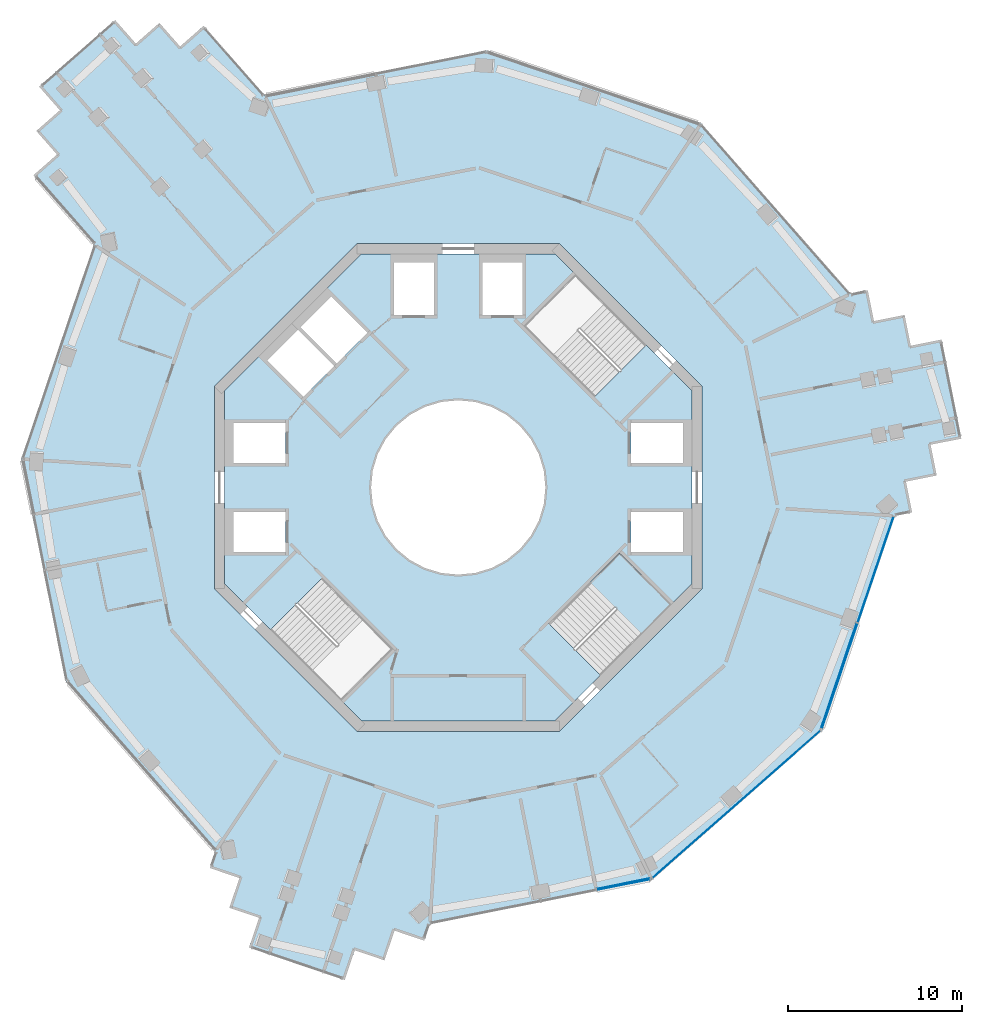
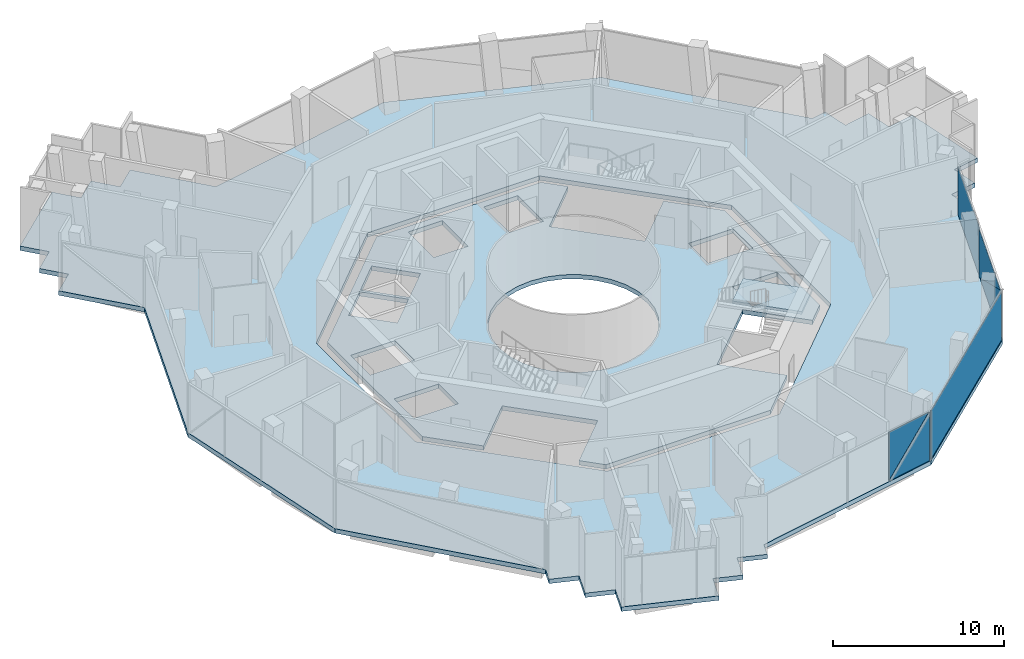
# One storey, part 9 of 17: 6 plates, 3 slabs, 4 elements without a shape of their own.
"""IFC4 building model written with IfcOpenShell, lengths in metres."""

from ifc_helpers import new_model, si_unit, direction, frame, origin, origin_2d, place, context, subcontext, project, spatial, polyline, rectangle, outline, extrude, material, layer, layer_set, type_object, element, aggregate, save


model = new_model("IFC4")

# Units and contexts
model_context = context("Model", 3, precision=1e-05, world=origin(), true_north=direction((0.0, 1.0)))
body_context = subcontext(model_context, "Body", "Model", "MODEL_VIEW")
ifc_project = project(units=[si_unit("LENGTHUNIT", "METRE"), si_unit("AREAUNIT", "SQUARE_METRE"), si_unit("VOLUMEUNIT", "CUBIC_METRE"), si_unit("PLANEANGLEUNIT", "RADIAN"), si_unit("MASSUNIT", "GRAM", prefix="KILO")], contexts=[model_context])

# Site, building, storey
site_placement = place(None, origin())
site = spatial("IfcSite", under=ifc_project, at=site_placement, CompositionType="ELEMENT")
building_placement = place(site_placement, origin())
building = spatial("IfcBuilding", under=site, at=building_placement, Name="Verdalira Terraces Hotel", CompositionType="ELEMENT")
storey_placement = place(building_placement, frame((0.0, 0.0, 201.0)))
storey = spatial("IfcBuildingStorey", under=building, at=storey_placement, Name="L49", CompositionType="ELEMENT", Elevation=201.0)

# Curtain wall, plates
ifc_material_1 = material(Name="Clear glass", Category="glass")
ifc_layer_1 = layer(ifc_material_1, 0.179931640625)
ifc_layer_set_1 = layer_set([ifc_layer_1], Name="CW4 curtain wall")
curtain_wall_type = type_object("IfcCurtainWallType", Name="CW4 curtain wall", PredefinedType="NOTDEFINED", material=ifc_layer_set_1)
curtain_wall_1_placement = place(storey_placement, origin())
curtain_wall_1 = element("IfcCurtainWall", 1, at=curtain_wall_1_placement, inside=storey, type_object=curtain_wall_type, Name="CW4 curtain wall L49 edge 25", PredefinedType="NOTDEFINED")
ifc_material_2 = material(Name="Clear glass", Category="glass")
ifc_layer_2 = layer(ifc_material_2, 0.035888671875)
ifc_layer_set_2 = layer_set([ifc_layer_2], Name="CW4 glass unit 36")
plate_type = type_object("IfcPlateType", Name="CW4 glass unit 36", PredefinedType="CURTAIN_PANEL", material=ifc_layer_set_2)
plate_1_placement = place(storey_placement, frame((9.475098, -22.766846, 1.735107), z_axis=(0.195603833, -0.980682997, 0.0), x_axis=(0.980682997, 0.195603833, 0.0)))
plate_1 = element("IfcPlate", 2, at=plate_1_placement, type_object=plate_type, Name="CW4 glass unit", PredefinedType="CURTAIN_PANEL", context=body_context, shape_type="SweptSolid", body=[
    extrude(outline(polyline([(-1.556152, -1.734863), (1.556152, -1.734863), (1.556152, 1.734863), (-1.556152, -1.734863)])), origin(), (0.0, 0.0, 1.0), 0.035889),
])
plate_2_placement = place(storey_placement, frame((9.467773, -22.730469, 1.735107), z_axis=(0.195603833, -0.980682997, 0.0), x_axis=(0.980682997, 0.195603833, 0.0)))
plate_2 = element("IfcPlate", 3, at=plate_2_placement, type_object=plate_type, Name="CW4 glass unit", PredefinedType="CURTAIN_PANEL", context=body_context, shape_type="SweptSolid", body=[
    extrude(outline(polyline([(-1.556152, -1.734863), (1.556152, 1.734863), (-1.556152, 1.734863), (-1.556152, -1.734863)])), origin(), (0.0, 0.0, 1.0), 0.035889),
])
aggregate(curtain_wall_1, [plate_1, plate_2])

# Curtain wall, plate
curtain_wall_2_placement = place(storey_placement, origin())
curtain_wall_2 = element("IfcCurtainWall", 4, at=curtain_wall_2_placement, inside=storey, type_object=curtain_wall_type, Name="CW4 curtain wall L49 edge 26", PredefinedType="NOTDEFINED")
plate_3_placement = place(storey_placement, frame((15.9646, -18.184814, 0.0), z_axis=(0.0, 0.0, 1.0), x_axis=(0.751494472, 0.659739387, 0.0)))
plate_3 = element("IfcPlate", 5, at=plate_3_placement, type_object=plate_type, Name="CW4 glass unit", PredefinedType="CURTAIN_PANEL", context=body_context, shape_type="SweptSolid", body=[
    extrude(rectangle(XDim=12.789551, YDim=0.035889, at=origin_2d()), origin(), (0.0, 0.0, 1.0), 3.469971),
])
aggregate(curtain_wall_2, [plate_3])

# Curtain wall, plates
curtain_wall_3_placement = place(storey_placement, origin())
curtain_wall_3 = element("IfcCurtainWall", 6, at=curtain_wall_3_placement, inside=storey, type_object=curtain_wall_type, Name="CW4 curtain wall L49 edge 27", PredefinedType="NOTDEFINED")
plate_4_placement = place(storey_placement, frame((21.869629, -10.804199, 1.735107), z_axis=(0.947098305, -0.32094361, 0.0), x_axis=(0.32094361, 0.947098305, 0.0)))
plate_4 = element("IfcPlate", 7, at=plate_4_placement, type_object=plate_type, Name="CW4 glass unit", PredefinedType="CURTAIN_PANEL", context=body_context, shape_type="SweptSolid", body=[
    extrude(outline(polyline([(-3.181152, -1.734863), (3.181152, -1.734863), (-3.181152, 1.734863), (-3.181152, -1.734863)])), origin(), (0.0, 0.0, 1.0), 0.035889),
])
plate_5_placement = place(storey_placement, frame((21.834473, -10.79248, 1.735107), z_axis=(0.947098305, -0.32094361, 0.0), x_axis=(0.32094361, 0.947098305, 0.0)))
plate_5 = element("IfcPlate", 8, at=plate_5_placement, type_object=plate_type, Name="CW4 glass unit", PredefinedType="CURTAIN_PANEL", context=body_context, shape_type="SweptSolid", body=[
    extrude(outline(polyline([(3.181152, -1.734863), (3.181152, 1.734863), (-3.181152, 1.734863), (3.181152, -1.734863)])), origin(), (0.0, 0.0, 1.0), 0.035889),
])
plate_6_placement = place(storey_placement, frame((23.953369, -4.711914, 0.0), z_axis=(0.0, 0.0, 1.0), x_axis=(0.32094361, 0.947098305, 0.0)))
plate_6 = element("IfcPlate", 9, at=plate_6_placement, type_object=plate_type, Name="CW4 glass unit", PredefinedType="CURTAIN_PANEL", context=body_context, shape_type="SweptSolid", body=[
    extrude(rectangle(XDim=6.385254, YDim=0.035889, at=origin_2d()), origin(), (0.0, 0.0, 1.0), 3.469971),
])
aggregate(curtain_wall_3, [plate_4, plate_5, plate_6])

# Slab
ifc_material_3 = material(Name="Concrete C40", Category="concrete")
ifc_layer_3 = layer(ifc_material_3, 0.31005859375)
ifc_layer_set_3 = layer_set([ifc_layer_3], Name="Core floor slab 310 mm")
slab_type_1 = type_object("IfcSlabType", Name="Core floor slab 310 mm", PredefinedType="FLOOR", material=ifc_layer_set_3)
slab_1_placement = place(storey_placement, frame((0.0, 0.0, -0.310059)))
element("IfcSlab", 10, at=slab_1_placement, inside=storey, type_object=slab_type_1, Name="L49 core floor", PredefinedType="FLOOR", context=body_context, shape_type="SweptSolid", body=[
    extrude(outline(polyline([(-6.703369, -12.24707), (-3.719482, -9.263184), (-7.799072, -5.18335), (-10.782959, -8.16748), (-13.399902, -5.550537), (-13.399902, 5.550537), (-5.550537, 13.399902), (5.550537, 13.399902), (6.703369, 12.24707), (3.719482, 9.263184), (7.799072, 5.18335), (10.782959, 8.16748), (13.399902, 5.550537), (13.399902, -5.550537), (12.24707, -6.703369), (9.263184, -3.719482), (5.18335, -7.799072), (8.16748, -10.782959), (5.550537, -13.399902), (-5.550537, -13.399902), (-6.703369, -12.24707)]), holes=[polyline([(9.899902, -1.399902), (9.899902, -3.699951), (12.899902, -3.699951), (12.899902, -1.399902), (9.899902, -1.399902)]), polyline([(9.899902, 3.699951), (9.899902, 1.399902), (12.899902, 1.399902), (12.899902, 3.699951), (9.899902, 3.699951)]), polyline([(3.699951, 12.899902), (1.399902, 12.899902), (1.399902, 9.899902), (3.699951, 9.899902), (3.699951, 12.899902)]), polyline([(-1.399902, 12.899902), (-3.699951, 12.899902), (-3.699951, 9.899902), (-1.399902, 9.899902), (-1.399902, 12.899902)]), polyline([(-9.899902, 1.399902), (-9.899902, 3.699951), (-12.899902, 3.699951), (-12.899902, 1.399902), (-9.899902, 1.399902)]), polyline([(-9.899902, -3.699951), (-9.899902, -1.399902), (-12.899902, -1.399902), (-12.899902, -3.699951), (-9.899902, -3.699951)]), polyline([(-9.051025, 9.192383), (-6.965088, 7.106445), (-5.197266, 8.874268), (-7.283203, 10.960205), (-9.051025, 9.192383)]), polyline([(-9.192383, 9.051025), (-10.960205, 7.283203), (-8.874268, 5.197266), (-7.106445, 6.965088), (-9.192383, 9.051025)]), polyline([(3.5354, 3.5354), (2.777832, 4.157227), (1.91333, 4.619385), (0.975586, 4.903809), (0.0, 5.0), (-0.975586, 4.903809), (-1.91333, 4.619385), (-2.777832, 4.157227), (-3.5354, 3.5354), (-4.157227, 2.777832), (-4.619385, 1.91333), (-4.903809, 0.975586), (-5.0, 0.0), (-4.903809, -0.975586), (-4.619385, -1.91333), (-4.157227, -2.777832), (-3.5354, -3.5354), (-2.777832, -4.157227), (-1.91333, -4.619385), (-0.975586, -4.903809), (0.0, -5.0), (0.975586, -4.903809), (1.91333, -4.619385), (2.777832, -4.157227), (3.5354, -3.5354), (4.157227, -2.777832), (4.619385, -1.91333), (4.903809, -0.975586), (5.0, 0.0), (4.903809, 0.975586), (4.619385, 1.91333), (4.157227, 2.777832), (3.5354, 3.5354)])]), origin(), (0.0, 0.0, 1.0), 0.310059),
])

# Stair, slab
ifc_material_4 = material(Name="Concrete C40", Category="concrete")
stair_type = type_object("IfcStairType", Name="Core stair 26 risers 2050 mm wide", PredefinedType="HALF_TURN_STAIR", material=ifc_material_4)
stair_placement = place(storey_placement, origin())
stair = element("IfcStair", 11, at=stair_placement, inside=storey, type_object=stair_type, Name="L49 Exit stair ST3", PredefinedType="HALF_TURN_STAIR")
ifc_material_5 = material(Name="Concrete C40", Category="concrete")
ifc_layer_4 = layer(ifc_material_5, 0.199951171875)
ifc_layer_set_4 = layer_set([ifc_layer_4], Name="Core stair landing 200 mm")
slab_type_2 = type_object("IfcSlabType", Name="Core stair landing 200 mm", PredefinedType="LANDING", material=ifc_layer_set_4)
slab_2_placement = place(storey_placement, frame((0.0, 0.0, 2.050049)))
slab_2 = element("IfcSlab", 12, at=slab_2_placement, type_object=slab_type_2, Name="ST3 landing 1", PredefinedType="LANDING", context=body_context, shape_type="SweptSolid", body=[
    extrude(outline(polyline([(10.542725, -8.407959), (12.23291, -6.717529), (9.263184, -3.747559), (7.572754, -5.437988), (10.542725, -8.407959)])), origin(), (0.0, 0.0, 1.0), 0.199951),
])
aggregate(stair, [slab_2])

# Slab
ifc_material_6 = material(Name="Concrete C40", Category="concrete")
ifc_layer_5 = layer(ifc_material_6, 0.31005859375)
ifc_layer_set_5 = layer_set([ifc_layer_5], Name="Floor slab 310 C40")
slab_type_3 = type_object("IfcSlabType", Name="Floor slab 310 C40", PredefinedType="FLOOR", material=ifc_layer_set_5)
slab_3_placement = place(storey_placement, frame((0.0, 0.0, -0.310059)))
element("IfcSlab", 13, at=slab_3_placement, inside=storey, type_object=slab_type_3, Name="Floor slab L49", PredefinedType="FLOOR", context=body_context, shape_type="SweptSolid", body=[
    extrude(outline(polyline([(1.629395, 25.061279), (-11.119385, 22.518311), (-14.60791, 26.491943), (-15.960693, 25.304443), (-17.148193, 26.656982), (-18.500732, 25.469482), (-19.688232, 26.822266), (-24.047119, 22.995605), (-22.859619, 21.643066), (-24.212158, 20.455566), (-23.024658, 19.102783), (-24.377197, 17.915283), (-20.888916, 13.94165), (-25.061279, 1.629395), (-22.518311, -11.119385), (-13.94165, -20.888916), (-14.262695, -21.835938), (-12.557861, -22.413818), (-13.135498, -24.118408), (-11.430908, -24.696289), (-12.008545, -26.400879), (-6.515381, -28.262451), (-5.9375, -26.557617), (-4.23291, -27.135254), (-3.655029, -25.430664), (-1.950439, -26.008301), (-1.629395, -25.061279), (11.119385, -22.518311), (20.888916, -13.94165), (25.061279, -1.629395), (26.041748, -1.433838), (25.689697, 0.331299), (27.455078, 0.683594), (27.102783, 2.44873), (28.868164, 2.800781), (27.733643, 8.48877), (25.968506, 8.136719), (25.616211, 9.901855), (23.851074, 9.549805), (23.499023, 11.315186), (22.518311, 11.119385), (13.94165, 20.888916), (1.629395, 25.061279)]), holes=[polyline([(5.799072, 14.0), (14.0, 5.799072), (14.0, -5.799072), (5.799072, -14.0), (-5.799072, -14.0), (-14.0, -5.799072), (-14.0, 5.799072), (-5.799072, 14.0), (5.799072, 14.0)])]), origin(), (0.0, 0.0, 1.0), 0.310059),
])

save(model, "model.ifc")
